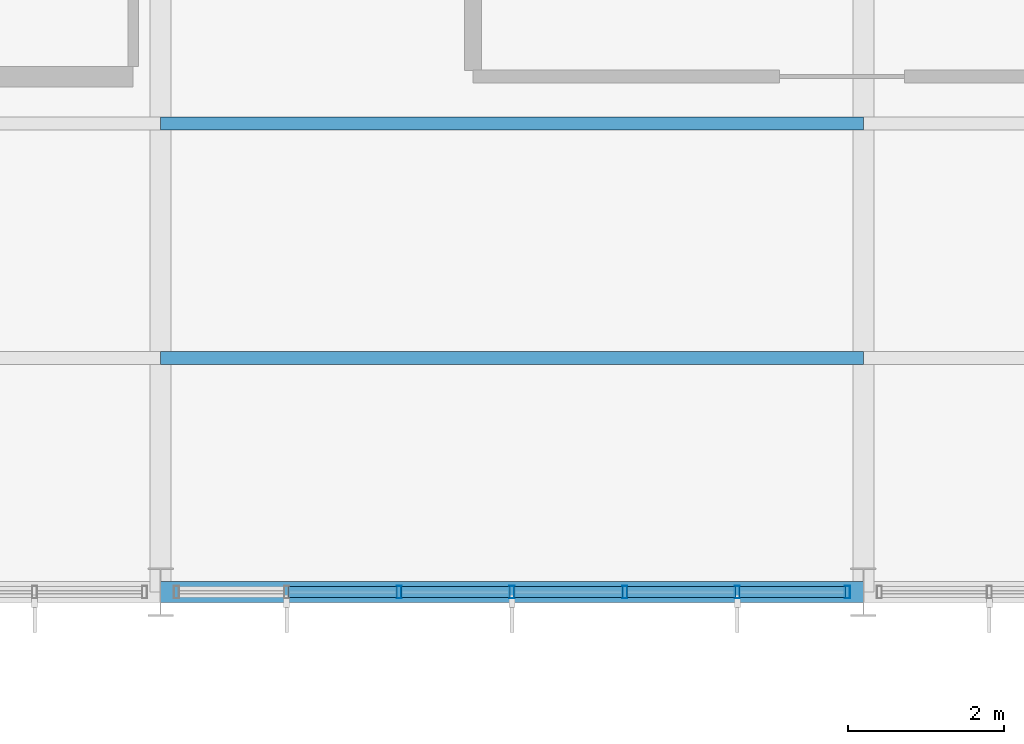
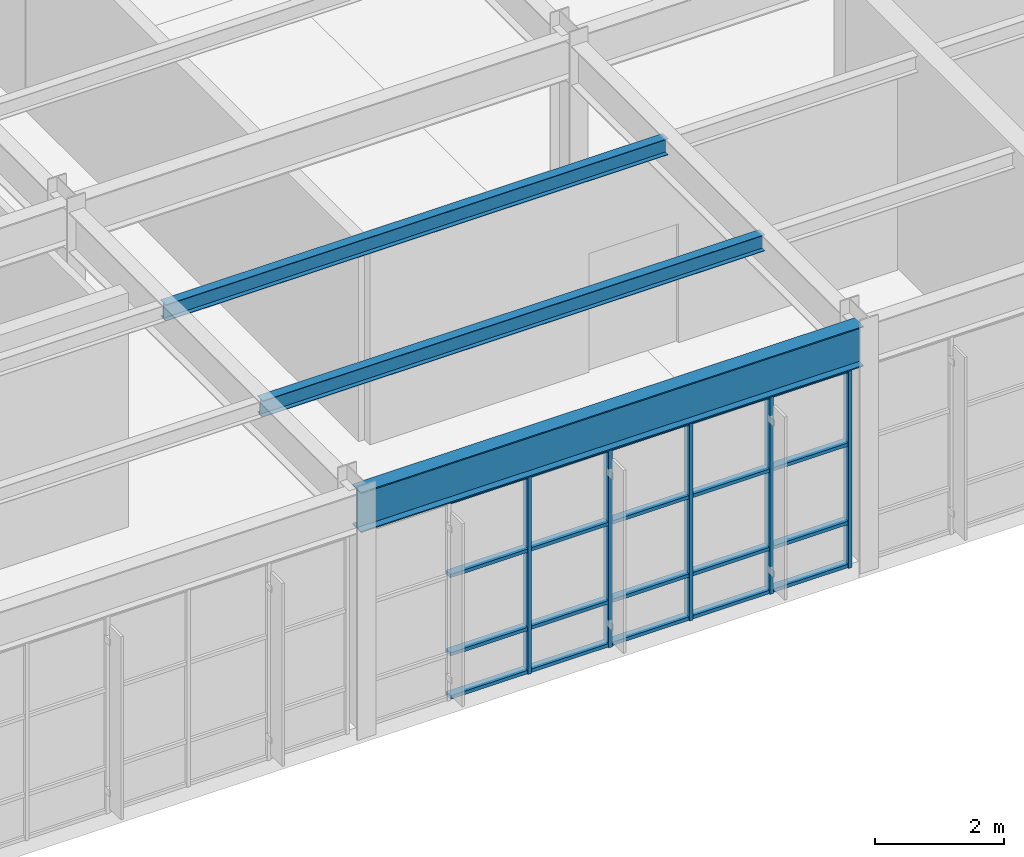
# One storey, part 63 of 99: 27 members, 1 beam, 1 element without a shape of its own.
"""IFC4 building model written with IfcOpenShell, lengths in metres."""

from ifc_helpers import new_model, si_unit, direction, frame, origin, origin_2d, place, context, subcontext, project, spatial, hollow_rectangle, i_section, extrude, material, layer, layer_set, material_profile, profile_set, type_object, element, aggregate, save


model = new_model("IFC4")

# Units and contexts
model_context = context("Model", 3, precision=1e-05, world=origin(), true_north=direction((0.0, 1.0)))
body_context = subcontext(model_context, "Body", "Model", "MODEL_VIEW")
ifc_project = project(units=[si_unit("LENGTHUNIT", "METRE"), si_unit("AREAUNIT", "SQUARE_METRE"), si_unit("VOLUMEUNIT", "CUBIC_METRE"), si_unit("PLANEANGLEUNIT", "RADIAN"), si_unit("MASSUNIT", "GRAM", prefix="KILO")], contexts=[model_context])

# Site, building, storey
site_placement = place(None, origin())
site = spatial("IfcSite", under=ifc_project, at=site_placement, CompositionType="ELEMENT")
building_placement = place(site_placement, origin())
building = spatial("IfcBuilding", under=site, at=building_placement, Name="Ventoquebrada Cableway Terminal", CompositionType="ELEMENT")
storey_placement = place(building_placement, frame((0.0, 0.0, 9.60009765625)))
storey = spatial("IfcBuildingStorey", under=building, at=storey_placement, Name="L02", CompositionType="ELEMENT", Elevation=9.60009765625)

# Beam
ifc_material_1 = material(Name="Steel ASTM A992 Grade 50", Category="steel")
ifc_material_profile_1 = material_profile(ifc_material_1, i_section(OverallWidth=0.26708984375, OverallDepth=0.761962890625, WebThickness=0.014404296875, FlangeThickness=0.021484375, at=origin_2d()), Name="W30X116")
ifc_profile_set_1 = profile_set([ifc_material_profile_1], Name="Steel ASTM A992 Grade 50")
beam_type = type_object("IfcBeamType", Name="BM-ST05", PredefinedType="BEAM", material=ifc_profile_set_1)
beam_placement = place(storey_placement, frame((138.0, 77.0, 4.14892578125), z_axis=(1.0, 0.0, 0.0), x_axis=(0.0, 1.0, 0.0)))
element("IfcBeam", 1, at=beam_placement, inside=storey, type_object=beam_type, Name="Primary frame girder FBM-0857", PredefinedType="BEAM", context=body_context, shape_type="SweptSolid", body=[
    extrude(i_section(OverallWidth=0.26708984375, OverallDepth=0.761962890625, WebThickness=0.014404296875, FlangeThickness=0.021484375, at=origin_2d()), origin(), (0.0, 0.0, 1.0), 9.0),
])

# Curtain wall, members
ifc_material_2 = material(Name="Anodized thermally-broken aluminium", Category="aluminium")
ifc_layer = layer(ifc_material_2, 0.159912109375)
ifc_layer_set = layer_set([ifc_layer], Name="Anodized thermally-broken aluminium")
curtain_wall_type = type_object("IfcCurtainWallType", Name="CW-T33", PredefinedType="USERDEFINED", material=ifc_layer_set)
curtain_wall_placement = place(storey_placement, origin())
curtain_wall = element("IfcCurtainWall", 2, at=curtain_wall_placement, inside=storey, type_object=curtain_wall_type, Name="Unitised glazed curtain wall CW-079", ObjectType="UNITISED CURTAIN WALL", PredefinedType="USERDEFINED")
ifc_material_profile_2 = material_profile(ifc_material_2, hollow_rectangle(XDim=0.06494140625, YDim=0.159912109375, WallThickness=0.00390625, at=origin_2d()), Name="CW-MUL-65X160")
ifc_profile_set_2 = profile_set([ifc_material_profile_2], Name="Anodized thermally-broken aluminium")
member_type_1 = type_object("IfcMemberType", Name="CWM-01", PredefinedType="MULLION", material=ifc_profile_set_2)
member_1_placement = place(storey_placement, frame((141.055908203125, 77.0, -0.008056640625), z_axis=(0.0, 0.0, 1.0), x_axis=(1.0, 0.0, 0.0)))
member_1 = element("IfcMember", 3, at=member_1_placement, type_object=member_type_1, Name="Curtain wall mullion FML-0381", PredefinedType="MULLION", context=body_context, shape_type="SweptSolid", body=[
    extrude(hollow_rectangle(XDim=0.06494140625, YDim=0.159912109375, WallThickness=0.00390625, at=origin_2d()), origin(), (0.0, 0.0, 1.0), 3.77587890625),
])
member_2_placement = place(storey_placement, frame((142.5, 77.0, -0.008056640625), z_axis=(0.0, 0.0, 1.0), x_axis=(1.0, 0.0, 0.0)))
member_2 = element("IfcMember", 4, at=member_2_placement, type_object=member_type_1, Name="Curtain wall mullion FML-0382", PredefinedType="MULLION", context=body_context, shape_type="SweptSolid", body=[
    extrude(hollow_rectangle(XDim=0.06494140625, YDim=0.159912109375, WallThickness=0.00390625, at=origin_2d()), origin(), (0.0, 0.0, 1.0), 3.77587890625),
])
member_3_placement = place(storey_placement, frame((143.944091796875, 77.0, -0.008056640625), z_axis=(0.0, 0.0, 1.0), x_axis=(1.0, 0.0, 0.0)))
member_3 = element("IfcMember", 5, at=member_3_placement, type_object=member_type_1, Name="Curtain wall mullion FML-0383", PredefinedType="MULLION", context=body_context, shape_type="SweptSolid", body=[
    extrude(hollow_rectangle(XDim=0.06494140625, YDim=0.159912109375, WallThickness=0.00390625, at=origin_2d()), origin(), (0.0, 0.0, 1.0), 3.77587890625),
])
member_4_placement = place(storey_placement, frame((145.386962890625, 77.0, -0.008056640625), z_axis=(0.0, 0.0, 1.0), x_axis=(1.0, 0.0, 0.0)))
member_4 = element("IfcMember", 6, at=member_4_placement, type_object=member_type_1, Name="Curtain wall mullion FML-0384", PredefinedType="MULLION", context=body_context, shape_type="SweptSolid", body=[
    extrude(hollow_rectangle(XDim=0.06494140625, YDim=0.159912109375, WallThickness=0.00390625, at=origin_2d()), origin(), (0.0, 0.0, 1.0), 3.77587890625),
])
member_5_placement = place(storey_placement, frame((146.7958984375, 77.0, -0.008056640625), z_axis=(0.0, 0.0, 1.0), x_axis=(1.0, 0.0, 0.0)))
member_5 = element("IfcMember", 7, at=member_5_placement, type_object=member_type_1, Name="Curtain wall mullion FML-0385", PredefinedType="MULLION", context=body_context, shape_type="SweptSolid", body=[
    extrude(hollow_rectangle(XDim=0.06494140625, YDim=0.159912109375, WallThickness=0.00390625, at=origin_2d()), origin(), (0.0, 0.0, 1.0), 3.77587890625),
])
ifc_material_profile_3 = material_profile(ifc_material_2, hollow_rectangle(XDim=0.06494140625, YDim=0.139892578125, WallThickness=0.00390625, at=origin_2d()), Name="CW-TRN-65X140")
ifc_profile_set_3 = profile_set([ifc_material_profile_3], Name="Anodized thermally-broken aluminium")
member_type_2 = type_object("IfcMemberType", Name="CWT-01", PredefinedType="USERDEFINED", material=ifc_profile_set_3)
member_6_placement = place(storey_placement, frame((139.639892578125, 77.0, 0.034912109375), z_axis=(1.0, 0.0, 0.0), x_axis=(0.0, 0.0, 1.0)))
member_6 = element("IfcMember", 8, at=member_6_placement, type_object=member_type_2, Name="Curtain wall transom FTR-1112", ObjectType="TRANSOM", PredefinedType="USERDEFINED", context=body_context, shape_type="SweptSolid", body=[
    extrude(hollow_rectangle(XDim=0.06494140625, YDim=0.139892578125, WallThickness=0.00390625, at=origin_2d()), origin(), (0.0, 0.0, 1.0), 1.38916015625),
])
member_7_placement = place(storey_placement, frame((139.639892578125, 77.0, 0.849853515625), z_axis=(1.0, 0.0, 0.0), x_axis=(0.0, 0.0, 1.0)))
member_7 = element("IfcMember", 9, at=member_7_placement, type_object=member_type_2, Name="Curtain wall transom FTR-1113", ObjectType="TRANSOM", PredefinedType="USERDEFINED", context=body_context, shape_type="SweptSolid", body=[
    extrude(hollow_rectangle(XDim=0.06494140625, YDim=0.139892578125, WallThickness=0.00390625, at=origin_2d()), origin(), (0.0, 0.0, 1.0), 1.38916015625),
])
member_8_placement = place(storey_placement, frame((139.639892578125, 77.0, 2.3330078125), z_axis=(1.0, 0.0, 0.0), x_axis=(0.0, 0.0, 1.0)))
member_8 = element("IfcMember", 10, at=member_8_placement, type_object=member_type_2, Name="Curtain wall transom FTR-1114", ObjectType="TRANSOM", PredefinedType="USERDEFINED", context=body_context, shape_type="SweptSolid", body=[
    extrude(hollow_rectangle(XDim=0.06494140625, YDim=0.139892578125, WallThickness=0.00390625, at=origin_2d()), origin(), (0.0, 0.0, 1.0), 1.38916015625),
])
member_9_placement = place(storey_placement, frame((139.639892578125, 77.0, 3.727783203125), z_axis=(1.0, 0.0, 0.0), x_axis=(0.0, 0.0, 1.0)))
member_9 = element("IfcMember", 11, at=member_9_placement, type_object=member_type_2, Name="Curtain wall transom FTR-1115", ObjectType="TRANSOM", PredefinedType="USERDEFINED", context=body_context, shape_type="SweptSolid", body=[
    extrude(hollow_rectangle(XDim=0.06494140625, YDim=0.139892578125, WallThickness=0.00390625, at=origin_2d()), origin(), (0.0, 0.0, 1.0), 1.38916015625),
])
member_10_placement = place(storey_placement, frame((141.083984375, 77.0, 0.034912109375), z_axis=(1.0, 0.0, 0.0), x_axis=(0.0, 0.0, 1.0)))
member_10 = element("IfcMember", 12, at=member_10_placement, type_object=member_type_2, Name="Curtain wall transom FTR-1116", ObjectType="TRANSOM", PredefinedType="USERDEFINED", context=body_context, shape_type="SweptSolid", body=[
    extrude(hollow_rectangle(XDim=0.06494140625, YDim=0.139892578125, WallThickness=0.00390625, at=origin_2d()), origin(), (0.0, 0.0, 1.0), 1.387939453125),
])
member_11_placement = place(storey_placement, frame((141.083984375, 77.0, 0.849853515625), z_axis=(1.0, 0.0, 0.0), x_axis=(0.0, 0.0, 1.0)))
member_11 = element("IfcMember", 13, at=member_11_placement, type_object=member_type_2, Name="Curtain wall transom FTR-1117", ObjectType="TRANSOM", PredefinedType="USERDEFINED", context=body_context, shape_type="SweptSolid", body=[
    extrude(hollow_rectangle(XDim=0.06494140625, YDim=0.139892578125, WallThickness=0.00390625, at=origin_2d()), origin(), (0.0, 0.0, 1.0), 1.387939453125),
])
member_12_placement = place(storey_placement, frame((141.083984375, 77.0, 2.3330078125), z_axis=(1.0, 0.0, 0.0), x_axis=(0.0, 0.0, 1.0)))
member_12 = element("IfcMember", 14, at=member_12_placement, type_object=member_type_2, Name="Curtain wall transom FTR-1118", ObjectType="TRANSOM", PredefinedType="USERDEFINED", context=body_context, shape_type="SweptSolid", body=[
    extrude(hollow_rectangle(XDim=0.06494140625, YDim=0.139892578125, WallThickness=0.00390625, at=origin_2d()), origin(), (0.0, 0.0, 1.0), 1.387939453125),
])
member_13_placement = place(storey_placement, frame((141.083984375, 77.0, 3.727783203125), z_axis=(1.0, 0.0, 0.0), x_axis=(0.0, 0.0, 1.0)))
member_13 = element("IfcMember", 15, at=member_13_placement, type_object=member_type_2, Name="Curtain wall transom FTR-1119", ObjectType="TRANSOM", PredefinedType="USERDEFINED", context=body_context, shape_type="SweptSolid", body=[
    extrude(hollow_rectangle(XDim=0.06494140625, YDim=0.139892578125, WallThickness=0.00390625, at=origin_2d()), origin(), (0.0, 0.0, 1.0), 1.387939453125),
])
member_14_placement = place(storey_placement, frame((142.528076171875, 77.0, 0.034912109375), z_axis=(1.0, 0.0, 0.0), x_axis=(0.0, 0.0, 1.0)))
member_14 = element("IfcMember", 16, at=member_14_placement, type_object=member_type_2, Name="Curtain wall transom FTR-1120", ObjectType="TRANSOM", PredefinedType="USERDEFINED", context=body_context, shape_type="SweptSolid", body=[
    extrude(hollow_rectangle(XDim=0.06494140625, YDim=0.139892578125, WallThickness=0.00390625, at=origin_2d()), origin(), (0.0, 0.0, 1.0), 1.387939453125),
])
member_15_placement = place(storey_placement, frame((142.528076171875, 77.0, 0.849853515625), z_axis=(1.0, 0.0, 0.0), x_axis=(0.0, 0.0, 1.0)))
member_15 = element("IfcMember", 17, at=member_15_placement, type_object=member_type_2, Name="Curtain wall transom FTR-1121", ObjectType="TRANSOM", PredefinedType="USERDEFINED", context=body_context, shape_type="SweptSolid", body=[
    extrude(hollow_rectangle(XDim=0.06494140625, YDim=0.139892578125, WallThickness=0.00390625, at=origin_2d()), origin(), (0.0, 0.0, 1.0), 1.387939453125),
])
member_16_placement = place(storey_placement, frame((142.528076171875, 77.0, 2.3330078125), z_axis=(1.0, 0.0, 0.0), x_axis=(0.0, 0.0, 1.0)))
member_16 = element("IfcMember", 18, at=member_16_placement, type_object=member_type_2, Name="Curtain wall transom FTR-1122", ObjectType="TRANSOM", PredefinedType="USERDEFINED", context=body_context, shape_type="SweptSolid", body=[
    extrude(hollow_rectangle(XDim=0.06494140625, YDim=0.139892578125, WallThickness=0.00390625, at=origin_2d()), origin(), (0.0, 0.0, 1.0), 1.387939453125),
])
member_17_placement = place(storey_placement, frame((142.528076171875, 77.0, 3.727783203125), z_axis=(1.0, 0.0, 0.0), x_axis=(0.0, 0.0, 1.0)))
member_17 = element("IfcMember", 19, at=member_17_placement, type_object=member_type_2, Name="Curtain wall transom FTR-1123", ObjectType="TRANSOM", PredefinedType="USERDEFINED", context=body_context, shape_type="SweptSolid", body=[
    extrude(hollow_rectangle(XDim=0.06494140625, YDim=0.139892578125, WallThickness=0.00390625, at=origin_2d()), origin(), (0.0, 0.0, 1.0), 1.387939453125),
])
member_18_placement = place(storey_placement, frame((143.970947265625, 77.0, 0.034912109375), z_axis=(1.0, 0.0, 0.0), x_axis=(0.0, 0.0, 1.0)))
member_18 = element("IfcMember", 20, at=member_18_placement, type_object=member_type_2, Name="Curtain wall transom FTR-1124", ObjectType="TRANSOM", PredefinedType="USERDEFINED", context=body_context, shape_type="SweptSolid", body=[
    extrude(hollow_rectangle(XDim=0.06494140625, YDim=0.139892578125, WallThickness=0.00390625, at=origin_2d()), origin(), (0.0, 0.0, 1.0), 1.38916015625),
])
member_19_placement = place(storey_placement, frame((143.970947265625, 77.0, 0.849853515625), z_axis=(1.0, 0.0, 0.0), x_axis=(0.0, 0.0, 1.0)))
member_19 = element("IfcMember", 21, at=member_19_placement, type_object=member_type_2, Name="Curtain wall transom FTR-1125", ObjectType="TRANSOM", PredefinedType="USERDEFINED", context=body_context, shape_type="SweptSolid", body=[
    extrude(hollow_rectangle(XDim=0.06494140625, YDim=0.139892578125, WallThickness=0.00390625, at=origin_2d()), origin(), (0.0, 0.0, 1.0), 1.38916015625),
])
member_20_placement = place(storey_placement, frame((143.970947265625, 77.0, 2.3330078125), z_axis=(1.0, 0.0, 0.0), x_axis=(0.0, 0.0, 1.0)))
member_20 = element("IfcMember", 22, at=member_20_placement, type_object=member_type_2, Name="Curtain wall transom FTR-1126", ObjectType="TRANSOM", PredefinedType="USERDEFINED", context=body_context, shape_type="SweptSolid", body=[
    extrude(hollow_rectangle(XDim=0.06494140625, YDim=0.139892578125, WallThickness=0.00390625, at=origin_2d()), origin(), (0.0, 0.0, 1.0), 1.38916015625),
])
member_21_placement = place(storey_placement, frame((143.970947265625, 77.0, 3.727783203125), z_axis=(1.0, 0.0, 0.0), x_axis=(0.0, 0.0, 1.0)))
member_21 = element("IfcMember", 23, at=member_21_placement, type_object=member_type_2, Name="Curtain wall transom FTR-1127", ObjectType="TRANSOM", PredefinedType="USERDEFINED", context=body_context, shape_type="SweptSolid", body=[
    extrude(hollow_rectangle(XDim=0.06494140625, YDim=0.139892578125, WallThickness=0.00390625, at=origin_2d()), origin(), (0.0, 0.0, 1.0), 1.38916015625),
])
member_22_placement = place(storey_placement, frame((145.4150390625, 77.0, 0.034912109375), z_axis=(1.0, 0.0, 0.0), x_axis=(0.0, 0.0, 1.0)))
member_22 = element("IfcMember", 24, at=member_22_placement, type_object=member_type_2, Name="Curtain wall transom FTR-1128", ObjectType="TRANSOM", PredefinedType="USERDEFINED", context=body_context, shape_type="SweptSolid", body=[
    extrude(hollow_rectangle(XDim=0.06494140625, YDim=0.139892578125, WallThickness=0.00390625, at=origin_2d()), origin(), (0.0, 0.0, 1.0), 1.35302734375),
])
member_23_placement = place(storey_placement, frame((145.4150390625, 77.0, 0.849853515625), z_axis=(1.0, 0.0, 0.0), x_axis=(0.0, 0.0, 1.0)))
member_23 = element("IfcMember", 25, at=member_23_placement, type_object=member_type_2, Name="Curtain wall transom FTR-1129", ObjectType="TRANSOM", PredefinedType="USERDEFINED", context=body_context, shape_type="SweptSolid", body=[
    extrude(hollow_rectangle(XDim=0.06494140625, YDim=0.139892578125, WallThickness=0.00390625, at=origin_2d()), origin(), (0.0, 0.0, 1.0), 1.35302734375),
])
member_24_placement = place(storey_placement, frame((145.4150390625, 77.0, 2.3330078125), z_axis=(1.0, 0.0, 0.0), x_axis=(0.0, 0.0, 1.0)))
member_24 = element("IfcMember", 26, at=member_24_placement, type_object=member_type_2, Name="Curtain wall transom FTR-1130", ObjectType="TRANSOM", PredefinedType="USERDEFINED", context=body_context, shape_type="SweptSolid", body=[
    extrude(hollow_rectangle(XDim=0.06494140625, YDim=0.139892578125, WallThickness=0.00390625, at=origin_2d()), origin(), (0.0, 0.0, 1.0), 1.35302734375),
])
member_25_placement = place(storey_placement, frame((145.4150390625, 77.0, 3.727783203125), z_axis=(1.0, 0.0, 0.0), x_axis=(0.0, 0.0, 1.0)))
member_25 = element("IfcMember", 27, at=member_25_placement, type_object=member_type_2, Name="Curtain wall transom FTR-1131", ObjectType="TRANSOM", PredefinedType="USERDEFINED", context=body_context, shape_type="SweptSolid", body=[
    extrude(hollow_rectangle(XDim=0.06494140625, YDim=0.139892578125, WallThickness=0.00390625, at=origin_2d()), origin(), (0.0, 0.0, 1.0), 1.35302734375),
])
aggregate(curtain_wall, [member_1, member_2, member_3, member_4, member_5, member_6, member_7, member_8, member_9, member_10, member_11, member_12, member_13, member_14, member_15, member_16, member_17, member_18, member_19, member_20, member_21, member_22, member_23, member_24, member_25])

# Members
ifc_material_profile_4 = material_profile(ifc_material_1, i_section(OverallWidth=0.1650390625, OverallDepth=0.31005859375, WebThickness=0.005859375, FlangeThickness=0.009765625, at=origin_2d()), Name="W12X26")
ifc_profile_set_4 = profile_set([ifc_material_profile_4], Name="Steel ASTM A992 Grade 50")
member_type_3 = type_object("IfcMemberType", Name="PUR-RF05", PredefinedType="PURLIN", material=ifc_profile_set_4)
for number, where, z_axis, x_axis, name in (
    (28, (138.0, 80.0, 4.260009765625), (1.0, 0.0, 0.0), (0.0, 1.0, 0.0), "Roof support purlin RPR-0512"),
    (29, (138.0, 83.0, 4.260009765625), (1.0, 0.0, 0.0), (0.0, 1.0, 0.0), "Roof support purlin RPR-0515"),
):
    element("IfcMember", number, at=place(storey_placement, frame(where, z_axis=z_axis, x_axis=x_axis)), inside=storey, type_object=member_type_3, Name=name, PredefinedType="PURLIN", context=body_context, shape_type="SweptSolid", body=[
        extrude(i_section(OverallWidth=0.1650390625, OverallDepth=0.31005859375, WebThickness=0.005859375, FlangeThickness=0.009765625, at=origin_2d()), origin(), (0.0, 0.0, 1.0), 9.0),
    ])

save(model, "model.ifc")
